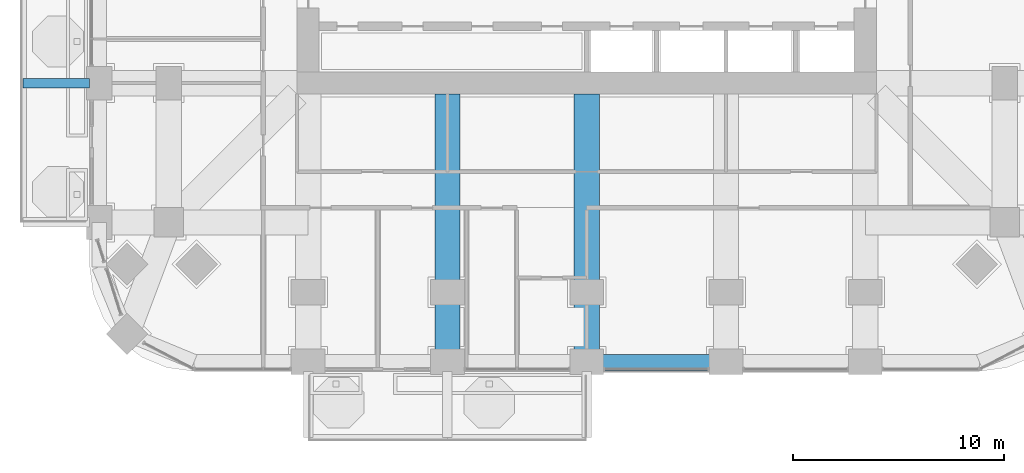
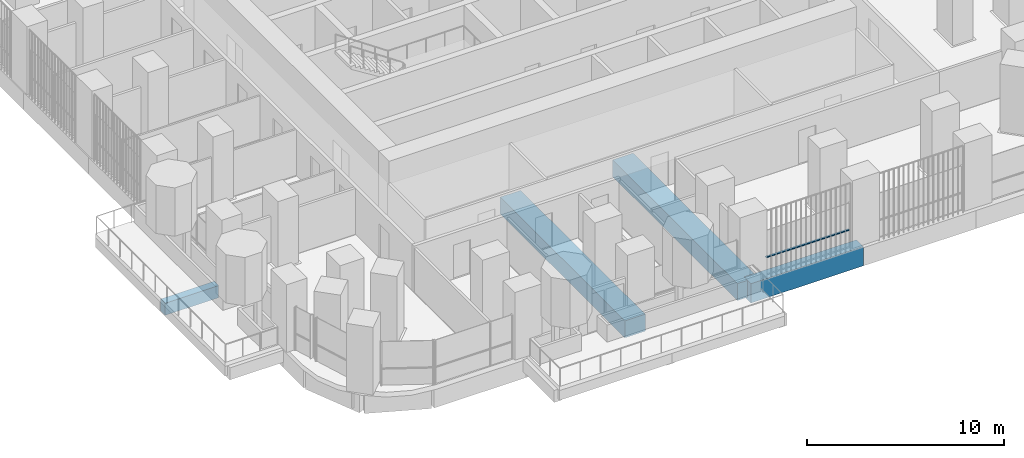
# One storey, part 3 of 21: 4 beams, 1 member, 1 element without a shape of its own.
"""IFC4 building model written with IfcOpenShell, lengths in metres."""

import ifcopenshell
import ifcopenshell.guid

model = None  # the IFC model being written
_history = None  # IfcOwnerHistory: only IFC2X3 demands one
_inside = {}  # id of a spatial element -> (the spatial element, [elements in it])
_under = {}  # id of a project, library or spatial element -> (it, [spatial elements below it])
_declared = {}  # id of a project -> (the project, [libraries it declares])
_typed = {}  # id of a type object -> (the type object, [elements of that type])
_made_of = {}  # id of a material, layer set ... -> (it, [elements and type objects made of it])


def new_model(schema):
    """Start an empty IFC model of exactly this schema.

    Asked for "IFC4X3", IfcOpenShell would pick the latest addendum, in which some entities
    have other attributes; the version numbers below select the first issue.
    IFC2X3 requires an IfcOwnerHistory on every rooted entity: one is made here for all.
    """
    global model, _history
    if schema == "IFC4X3":
        model = ifcopenshell.file(schema_version=(4, 3, 0, 0))
    else:
        model = ifcopenshell.file(schema=schema)
    _inside.clear()
    _under.clear()
    _declared.clear()
    _typed.clear()
    _made_of.clear()
    _history = None
    if model.schema == "IFC2X3":
        org = make("IfcOrganization", Name="unknown")
        user = make(
            "IfcPersonAndOrganization",
            ThePerson=make("IfcPerson", FamilyName="unknown"),
            TheOrganization=org,
        )
        app = make(
            "IfcApplication",
            ApplicationDeveloper=org,
            Version="unknown",
            ApplicationFullName="unknown",
            ApplicationIdentifier="unknown",
        )
        _history = make(
            "IfcOwnerHistory",
            OwningUser=user,
            OwningApplication=app,
            ChangeAction="ADDED",
            CreationDate=0,
        )
    return model


def make(cls, **values):
    """One entity of the class cls with the attributes given. An attribute that is None is left unset."""
    return model.create_entity(
        cls, **{name: value for name, value in values.items() if value is not None}
    )


def rooted(cls, **values):
    """An entity with a GlobalId (a new one), such as an element, a storey or a relation."""
    return make(cls, GlobalId=ifcopenshell.guid.new(), OwnerHistory=_history, **values)


def si_unit(unit_type, name, prefix=None):
    """IfcSIUnit, for example si_unit("LENGTHUNIT", "METRE", prefix="MILLI")."""
    return make("IfcSIUnit", UnitType=unit_type, Prefix=prefix, Name=name)


def assignment(units):
    """IfcUnitAssignment: the units of a project."""
    return None if units is None else make("IfcUnitAssignment", Units=units)


def point(xyz):
    """IfcCartesianPoint."""
    return None if xyz is None else make("IfcCartesianPoint", Coordinates=xyz)


def direction(xyz):
    """IfcDirection."""
    return None if xyz is None else make("IfcDirection", DirectionRatios=xyz)


def frame(location, z_axis=None, x_axis=None):
    """IfcAxis2Placement3D, a coordinate frame: its origin and axes. An axis left out is left unset."""
    return make(
        "IfcAxis2Placement3D",
        Location=point(location),
        Axis=direction(z_axis),
        RefDirection=direction(x_axis),
    )


def frame_2d(location, x_axis=None):
    """IfcAxis2Placement2D, a coordinate frame in the plane: its origin and x axis."""
    return make(
        "IfcAxis2Placement2D", Location=point(location), RefDirection=direction(x_axis)
    )


def origin():
    """The frame at (0, 0, 0) with its axes left unset."""
    return frame((0.0, 0.0, 0.0))


def origin_2d():
    """The frame at (0, 0) in the plane with its x axis left unset."""
    return frame_2d((0.0, 0.0))


def place(relative_to, where):
    """IfcLocalPlacement: puts the frame where relative to a parent placement (None: the world)."""
    return make(
        "IfcLocalPlacement", PlacementRelTo=relative_to, RelativePlacement=where
    )


def context(
    kind, dimensions, precision=None, world=None, true_north=None, identifier=None
):
    """IfcGeometricRepresentationContext, for example the 3D "Model" context."""
    return make(
        "IfcGeometricRepresentationContext",
        ContextIdentifier=identifier,
        ContextType=kind,
        CoordinateSpaceDimension=dimensions,
        Precision=precision,
        WorldCoordinateSystem=world,
        TrueNorth=true_north,
    )


def subcontext(parent, identifier, kind, view, scale=None):
    """IfcGeometricRepresentationSubContext, for example "Body" below "Model"."""
    return make(
        "IfcGeometricRepresentationSubContext",
        ContextIdentifier=identifier,
        ContextType=kind,
        ParentContext=parent,
        TargetScale=scale,
        TargetView=view,
    )


def project(units=None, contexts=None):
    """IfcProject with its units and contexts."""
    return rooted(
        "IfcProject",
        Name="project",
        RepresentationContexts=contexts,
        UnitsInContext=assignment(units),
    )


def spatial(cls, under=None, at=None, **own):
    """A site, building, storey or space (cls), placed at a placement, below another one or the project."""
    s = rooted(cls, ObjectPlacement=at, **own)
    if under is not None:
        _under.setdefault(under.id(), (under, []))[1].append(s)
    return s


def profile(cls, at=None, kind="AREA", **sizes):
    """A parametric profile (cls). Its sizes go by their IFC names, for example OverallWidth=200.0."""
    return make(cls, ProfileType=kind, Position=at, **sizes)


def rectangle(**sizes):
    """IfcRectangleProfileDef."""
    return profile("IfcRectangleProfileDef", **sizes)


def extrude(swept, where, along, depth):
    """IfcExtrudedAreaSolid: the profile swept, set in the frame where, extruded along a direction by depth."""
    return make(
        "IfcExtrudedAreaSolid",
        SweptArea=swept,
        Position=where,
        ExtrudedDirection=direction(along),
        Depth=depth,
    )


def shape(context_of_items, identifier, shape_type, items):
    """IfcShapeRepresentation: the items that make up one representation, for example the "Body"."""
    return make(
        "IfcShapeRepresentation",
        ContextOfItems=context_of_items,
        RepresentationIdentifier=identifier,
        RepresentationType=shape_type,
        Items=items,
    )


def material(Name=None, Category=None):
    """IfcMaterial."""
    return make("IfcMaterial", Name=Name, Category=Category)


def material_profile(
    of_material, cross_section, Name=None, Category=None, Priority=None
):
    """IfcMaterialProfile: a cross section and its material."""
    return make(
        "IfcMaterialProfile",
        Name=Name,
        Material=of_material,
        Profile=cross_section,
        Priority=Priority,
        Category=Category,
    )


def profile_set(profiles, Name=None, composite=None):
    """IfcMaterialProfileSet."""
    return make(
        "IfcMaterialProfileSet",
        Name=Name,
        MaterialProfiles=profiles,
        CompositeProfile=composite,
    )


def made_of(thing, what):
    """Note that an element or type object is made of a material, layer set ...; save() writes the relation."""
    if what is not None:
        _made_of.setdefault(what.id(), (what, []))[1].append(thing)
    return thing


def type_object(cls, material=None, **own):
    """A type object (cls), such as IfcWallType, which elements share."""
    return made_of(rooted(cls, **own), material)


def element(
    cls,
    number,
    at=None,
    inside=None,
    cuts=None,
    type_object=None,
    material=None,
    context=None,
    identifier="Body",
    shape_type=None,
    held_by="IfcProductDefinitionShape",
    body=None,
    shapes=None,
    **own,
):
    """One element of the class cls, such as IfcWall. Its Tag is "e" and its number.

    at: its placement. inside: the storey or other place that contains it. cuts: it is an
    opening in that element (IfcRelVoidsElement). A single representation is given by context,
    identifier, shape_type and body (its items); several are given by shapes. held_by: the class
    of the entity that holds the representations. save() writes the other relations.
    """
    e = rooted(cls, Tag="e%d" % number, ObjectPlacement=at, **own)
    if body is not None:
        shapes = [shape(context, identifier, shape_type, body)]
    if shapes is not None:
        e.Representation = make(held_by, Representations=shapes)
    if inside is not None:
        _inside.setdefault(inside.id(), (inside, []))[1].append(e)
    if cuts is not None:
        rooted(
            "IfcRelVoidsElement", RelatingBuildingElement=cuts, RelatedOpeningElement=e
        )
    if type_object is not None:
        _typed.setdefault(type_object.id(), (type_object, []))[1].append(e)
    return made_of(e, material)


def aggregate(whole, parts):
    """IfcRelAggregates: a whole, such as a stair, and the parts it consists of."""
    return rooted("IfcRelAggregates", RelatingObject=whole, RelatedObjects=parts)


def save(model, path):
    """Write the relations noted so far, then the file.

    IfcRelAggregates (storeys below a building ...), IfcRelContainedInSpatialStructure (elements
    in a storey), IfcRelDefinesByType, IfcRelAssociatesMaterial and IfcRelDeclares: one each for
    every whole, place, type object, material and project.
    """
    for whole, parts in _under.values():
        aggregate(whole, parts)
    for where, things in _inside.values():
        rooted(
            "IfcRelContainedInSpatialStructure",
            RelatedElements=things,
            RelatingStructure=where,
        )
    for kind, things in _typed.values():
        rooted("IfcRelDefinesByType", RelatedObjects=things, RelatingType=kind)
    for what, things in _made_of.values():
        rooted("IfcRelAssociatesMaterial", RelatedObjects=things, RelatingMaterial=what)
    for by, libraries in _declared.values():
        rooted("IfcRelDeclares", RelatingContext=by, RelatedDefinitions=libraries)
    model.write(path)


model = new_model("IFC4")

# Units and contexts
model_context = context("Model", 3, precision=1e-05, world=origin(), true_north=direction((0.0, 1.0)))
body_context = subcontext(model_context, "Body", "Model", "MODEL_VIEW")
ifc_project = project(units=[si_unit("LENGTHUNIT", "METRE"), si_unit("AREAUNIT", "SQUARE_METRE"), si_unit("VOLUMEUNIT", "CUBIC_METRE"), si_unit("PLANEANGLEUNIT", "RADIAN"), si_unit("MASSUNIT", "GRAM", prefix="KILO")], contexts=[model_context])

# Site, building, storey
site_placement = place(None, origin())
site = spatial("IfcSite", under=ifc_project, at=site_placement, CompositionType="ELEMENT")
building_placement = place(site_placement, origin())
building = spatial("IfcBuilding", under=site, at=building_placement, Name="Cobogo Forest Laboratory Tower", CompositionType="ELEMENT")
storey_placement = place(building_placement, frame((0.0, 0.0, 90.60009765625)))
storey = spatial("IfcBuildingStorey", under=building, at=storey_placement, Name="L20", CompositionType="ELEMENT", Elevation=90.60009765625)

# Beams
ifc_material_1 = material(Name="Concrete HA-40 (C40/50)", Category="concrete")
ifc_material_profile_1 = material_profile(ifc_material_1, rectangle(XDim=0.449951171875, YDim=0.75, at=origin_2d()), Name="RC 450x750")
ifc_profile_set_1 = profile_set([ifc_material_profile_1], Name="Concrete HA-40 (C40/50)")
beam_type_1 = type_object("IfcBeamType", Name="Balcony cantilever beam 450x750", PredefinedType="BEAM", material=ifc_profile_set_1)
beam_1_placement = place(storey_placement, frame((2.85009765625, 13.199951171875, -0.625), z_axis=(-1.0, 0.0, 0.0), x_axis=(0.0, -1.0, 0.0)))
element("IfcBeam", 1, at=beam_1_placement, inside=storey, type_object=beam_type_1, Name="CB1 BAL-W1-C2 L20", PredefinedType="BEAM", context=body_context, shape_type="SweptSolid", body=[
    extrude(rectangle(XDim=0.449951171875, YDim=0.75, at=origin_2d()), origin(), (0.0, 0.0, 1.0), 3.150146484375),
])
ifc_material_profile_2 = material_profile(ifc_material_1, rectangle(XDim=1.199951171875, YDim=1.050048828125, at=origin_2d()), Name="RC 1200x1050")
ifc_profile_set_2 = profile_set([ifc_material_profile_2], Name="Concrete HA-40 (C40/50)")
beam_type_2 = type_object("IfcBeamType", Name="Laboratory floor wide beam 1200x1050", PredefinedType="BEAM", material=ifc_profile_set_2)
for number, where, z_axis, x_axis, name in (
    (2, (19.800048828125, 12.675048828125, -0.8251953125), (0.0, -1.0, 0.0), (1.0, 0.0, 0.0), "RB1 R-4-S L20"),
    (3, (26.39990234375, 12.675048828125, -0.8251953125), (0.0, -1.0, 0.0), (1.0, 0.0, 0.0), "RB1 R-5-S L20"),
):
    element("IfcBeam", number, at=place(storey_placement, frame(where, z_axis=z_axis, x_axis=x_axis)), inside=storey, type_object=beam_type_2, Name=name, PredefinedType="BEAM", context=body_context, shape_type="SweptSolid", body=[
        extrude(rectangle(XDim=1.199951171875, YDim=1.050048828125, at=origin_2d()), origin(), (0.0, 0.0, 1.0), 12.675048828125),
    ])
ifc_material_profile_3 = material_profile(ifc_material_1, rectangle(XDim=0.699951171875, YDim=1.199951171875, at=origin_2d()), Name="RC 700x1200")
ifc_profile_set_3 = profile_set([ifc_material_profile_3], Name="Concrete HA-40 (C40/50)")
beam_type_3 = type_object("IfcBeamType", Name="Perimeter edge beam 700x1200", PredefinedType="BEAM", material=ifc_profile_set_3)
beam_2_placement = place(storey_placement, frame((26.39990234375, 0.0, -0.900146484375), z_axis=(1.0, 0.0, 0.0), x_axis=(0.0, 1.0, 0.0)))
element("IfcBeam", 4, at=beam_2_placement, inside=storey, type_object=beam_type_3, Name="EB1 E-S3 L20", PredefinedType="BEAM", context=body_context, shape_type="SweptSolid", body=[
    extrude(rectangle(XDim=0.699951171875, YDim=1.199951171875, at=origin_2d()), origin(), (0.0, 0.0, 1.0), 6.60009765625),
])

# Curtain wall, member
ifc_material_2 = material(Name="Aluminium curtain wall", Category="aluminium")
curtain_wall_type = type_object("IfcCurtainWallType", Name="CW-1 unitised curtain wall, clear glazing, laboratory floors zones A and B", PredefinedType="USERDEFINED", material=ifc_material_2)
curtain_wall_placement = place(storey_placement, origin())
curtain_wall = element("IfcCurtainWall", 5, at=curtain_wall_placement, inside=storey, type_object=curtain_wall_type, Name="Curtain wall 04 L20", ObjectType="UNITISED CURTAIN WALL", PredefinedType="USERDEFINED")
ifc_material_3 = material(Name="Aluminium transom", Category="aluminium")
ifc_material_profile_4 = material_profile(ifc_material_3, rectangle(XDim=0.1201171875, YDim=0.06005859375, at=origin_2d()), Name="AL 60x120")
ifc_profile_set_4 = profile_set([ifc_material_profile_4], Name="Aluminium transom")
member_type = type_object("IfcMemberType", Name="TR-1 aluminium transom 60x120", PredefinedType="USERDEFINED", material=ifc_profile_set_4)
member_placement = place(storey_placement, frame((27.260009765625, -0.35009765625, 1.0498046875), z_axis=(1.0, 0.0, 0.0), x_axis=(0.0, 1.0, 0.0)))
member = element("IfcMember", 6, at=member_placement, type_object=member_type, Name="CW-1 transom 1.1", ObjectType="TRANSOM", PredefinedType="USERDEFINED", context=body_context, shape_type="SweptSolid", body=[
    extrude(rectangle(XDim=0.1201171875, YDim=0.06005859375, at=origin_2d()), origin(), (0.0, 0.0, 1.0), 4.8798828125),
])
aggregate(curtain_wall, [member])

save(model, "model.ifc")
